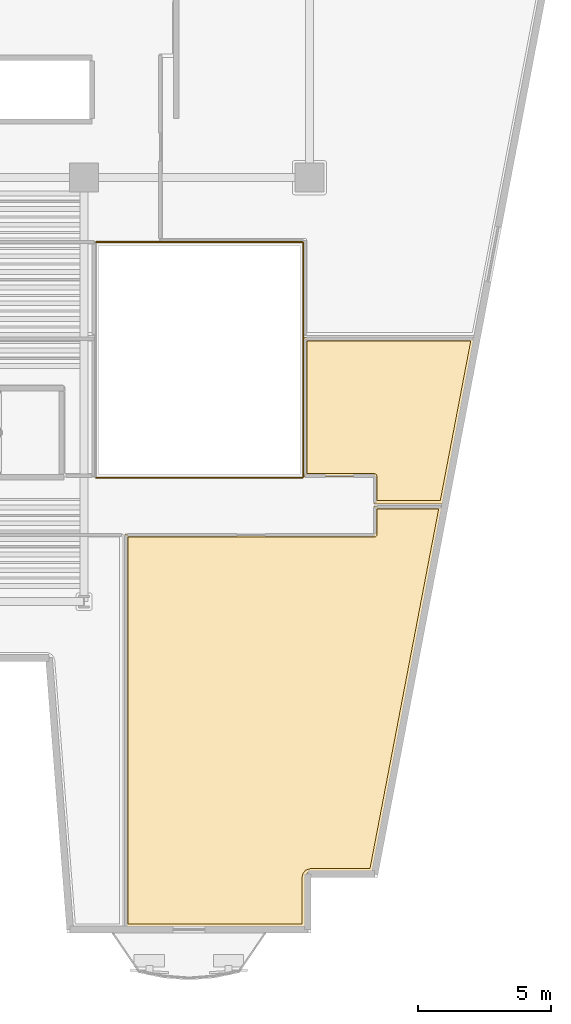
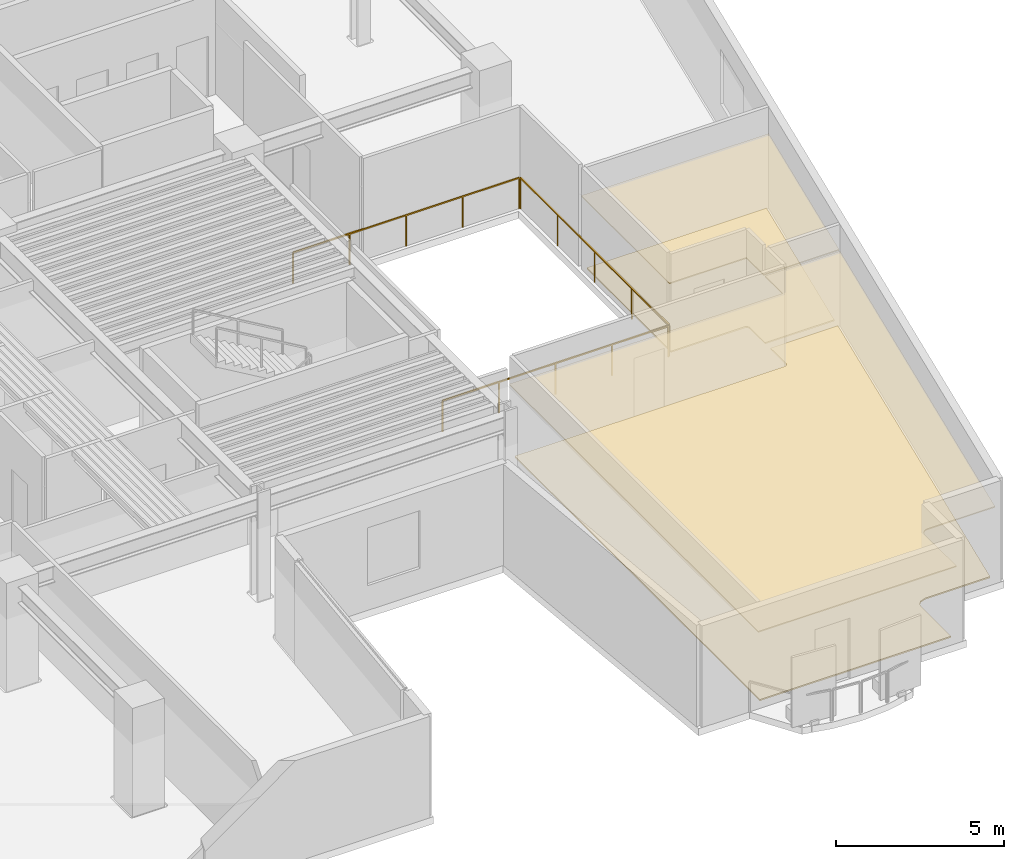
# One storey, part 11 of 13: 4 coverings, 3 railings.
"""IFC4 building model written with IfcOpenShell, lengths in metres."""

from ifc_helpers import new_model, si_unit, direction, frame, origin, origin_2d, place, context, subcontext, project, spatial, polyline, rectangle, outline, extrude, material, layer, layer_set, type_object, element, save


model = new_model("IFC4")

# Units and contexts
model_context = context("Model", 3, precision=1e-05, world=origin(), true_north=direction((0.0, 1.0)))
body_context = subcontext(model_context, "Body", "Model", "MODEL_VIEW")
ifc_project = project(units=[si_unit("LENGTHUNIT", "METRE"), si_unit("AREAUNIT", "SQUARE_METRE"), si_unit("VOLUMEUNIT", "CUBIC_METRE"), si_unit("PLANEANGLEUNIT", "RADIAN"), si_unit("MASSUNIT", "GRAM", prefix="KILO")], contexts=[model_context])

# Site, building, storey
site_placement = place(None, origin())
site = spatial("IfcSite", under=ifc_project, at=site_placement, CompositionType="ELEMENT")
building_placement = place(site_placement, origin())
building = spatial("IfcBuilding", under=site, at=building_placement, Name="Caeloran Harvest Quay", CompositionType="ELEMENT")
storey_placement = place(building_placement, frame((0.0, 0.0, 135.10009765625)))
storey = spatial("IfcBuildingStorey", under=building, at=storey_placement, Name="L31", CompositionType="ELEMENT", Elevation=135.10009765625)

# Coverings
ifc_material_1 = material(Name="Perforated Mineral-Fibre Acoustic Ceiling Tile", Category="ceiling")
ifc_layer_1 = layer(ifc_material_1, 0.0400390625, Name="Perforated Mineral-Fibre Acoustic Ceiling Tile")
ifc_layer_set_1 = layer_set([ifc_layer_1], Name="Perforated Mineral-Fibre Acoustic Ceiling Tile")
covering_type_1 = type_object("IfcCoveringType", Name="COV-CEILING-ACOUSTIC", PredefinedType="CEILING", material=ifc_layer_set_1)
covering_1_placement = place(storey_placement, frame((0.0, 0.0, 2.599853515625)))
element("IfcCovering", 1, at=covering_1_placement, inside=storey, type_object=covering_type_1, Name="Food Texture Sensory Laboratory Acoustic Ceiling", PredefinedType="CEILING", context=body_context, shape_type="SweptSolid", body=[
    extrude(outline(polyline([(44.93994140625, 17.56005859375), (44.93994140625, 18.610107421875), (47.522705078125, 18.610107421875), (44.888916015625, 4.820068359375), (42.571044921875, 4.820068359375), (42.506103515625, 4.810546875), (42.430419921875, 4.77001953125), (42.36669921875, 4.68408203125), (42.35009765625, 4.59912109375), (42.35009765625, 2.719970703125), (35.5400390625, 2.719970703125), (35.5400390625, 17.56005859375), (44.93994140625, 17.56005859375)])), origin(), (0.0, 0.0, 1.0), 0.0400390625),
])
covering_2_placement = place(storey_placement, frame((0.0, 0.0, 2.599853515625)))
element("IfcCovering", 2, at=covering_2_placement, inside=storey, type_object=covering_type_1, Name="Bioreactor Pilot Hall Acoustic Ceiling", PredefinedType="CEILING", context=body_context, shape_type="SweptSolid", body=[
    extrude(outline(polyline([(44.93994140625, 19.7099609375), (42.2900390625, 19.7099609375), (42.2900390625, 24.9599609375), (48.7353515625, 24.9599609375), (47.537841796875, 18.68994140625), (44.93994140625, 18.68994140625), (44.93994140625, 19.7099609375)])), origin(), (0.0, 0.0, 1.0), 0.0400390625),
])
ifc_material_2 = material(Name="Calcium-Sulphate Raised Access Floor and Terrazzo Finish", Category="flooring")
ifc_layer_2 = layer(ifc_material_2, 0.050048828125, Name="Calcium-Sulphate Raised Access Floor and Terrazzo Finish")
ifc_layer_set_2 = layer_set([ifc_layer_2], Name="Calcium-Sulphate Raised Access Floor and Terrazzo Finish")
covering_type_2 = type_object("IfcCoveringType", Name="COV-FLOOR-RAISED", PredefinedType="FLOORING", material=ifc_layer_set_2)
covering_3_placement = place(storey_placement, origin())
element("IfcCovering", 3, at=covering_3_placement, inside=storey, type_object=covering_type_2, Name="Food Texture Sensory Laboratory Raised Finish Flooring", PredefinedType="FLOORING", context=body_context, shape_type="SweptSolid", body=[
    extrude(outline(polyline([(44.97802734375, 17.443603515625), (45.037353515625, 17.4833984375), (45.059814453125, 17.543212890625), (45.06005859375, 18.489990234375), (47.37744140625, 18.489990234375), (44.789794921875, 4.93994140625), (42.566162109375, 4.93994140625), (42.357421875, 4.865234375), (42.268310546875, 4.7568359375), (42.231201171875, 4.62939453125), (42.22998046875, 2.840087890625), (35.659912109375, 2.840087890625), (35.659912109375, 17.43994140625), (44.97802734375, 17.443603515625)])), origin(), (0.0, 0.0, 1.0), 0.0498046875),
])
covering_4_placement = place(storey_placement, origin())
element("IfcCovering", 4, at=covering_4_placement, inside=storey, type_object=covering_type_2, Name="Bioreactor Pilot Hall Raised Finish Flooring", PredefinedType="FLOORING", context=body_context, shape_type="SweptSolid", body=[
    extrude(outline(polyline([(45.056396484375, 19.748046875), (45.0166015625, 19.807373046875), (44.953857421875, 19.829833984375), (42.409912109375, 19.830078125), (42.409912109375, 24.840087890625), (48.59033203125, 24.840087890625), (47.438720703125, 18.81005859375), (45.06005859375, 18.81005859375), (45.056396484375, 19.748046875)])), origin(), (0.0, 0.0, 1.0), 0.0498046875),
])

# Railings
ifc_material_3 = material(Name="Powder-Coated Steel Post and Laminated Glass Guardrail", Category="steel")
ifc_layer_3 = layer(ifc_material_3, 0.06005859375, Name="Powder-Coated Steel Post and Laminated Glass Guardrail")
ifc_layer_set_3 = layer_set([ifc_layer_3], Name="Powder-Coated Steel Post and Laminated Glass Guardrail")
railing_type = type_object("IfcRailingType", Name="GUARD-ATRIUM-1150", PredefinedType="GUARDRAIL", material=ifc_layer_set_3)
railing_1_placement = place(storey_placement, frame((34.4619140625, 19.679931640625, 0.0)))
element("IfcRailing", 5, at=railing_1_placement, inside=storey, type_object=railing_type, Name="L31 East Botanical Lightwell Guardrail Seg 1", PredefinedType="GUARDRAIL", context=body_context, shape_type="SweptSolid", body=[
    extrude(rectangle(XDim=0.048095703125, YDim=0.048095703125, at=origin_2d()), frame((0.0, 0.0, 1.1259765625), z_axis=(1.0, 0.0, 0.0), x_axis=(0.0, 1.0, 0.0)), (0.0, 0.0, 1.0), 7.776123046875),
    extrude(rectangle(XDim=0.0419921875, YDim=0.0419921875, at=origin_2d()), origin(), (0.0, 0.0, 1.0), 1.101806640625),
    extrude(rectangle(XDim=0.0419921875, YDim=0.0419921875, at=origin_2d()), frame((1.944091796875, 0.0, 0.0)), (0.0, 0.0, 1.0), 1.101806640625),
    extrude(rectangle(XDim=0.0419921875, YDim=0.0419921875, at=origin_2d()), frame((3.88818359375, 0.0, 0.0)), (0.0, 0.0, 1.0), 1.101806640625),
    extrude(rectangle(XDim=0.0419921875, YDim=0.0419921875, at=origin_2d()), frame((5.83203125, 0.0, 0.0)), (0.0, 0.0, 1.0), 1.101806640625),
    extrude(rectangle(XDim=0.0419921875, YDim=0.0419921875, at=origin_2d()), frame((7.776123046875, 0.0, 0.0)), (0.0, 0.0, 1.0), 1.101806640625),
])
railing_2_placement = place(storey_placement, frame((42.27001953125, 19.7119140625, 0.0)))
element("IfcRailing", 6, at=railing_2_placement, inside=storey, type_object=railing_type, Name="L31 East Botanical Lightwell Guardrail Seg 2", PredefinedType="GUARDRAIL", context=body_context, shape_type="SweptSolid", body=[
    extrude(rectangle(XDim=0.048095703125, YDim=0.048095703125, at=origin_2d()), frame((0.0, 0.0, 1.1259765625), z_axis=(0.0, 1.0, 0.0), x_axis=(-1.0, 0.0, 0.0)), (0.0, 0.0, 1.0), 8.826171875),
    extrude(rectangle(XDim=0.0419921875, YDim=0.0419921875, at=origin_2d()), origin(), (0.0, 0.0, 1.0), 1.101806640625),
    extrude(rectangle(XDim=0.0419921875, YDim=0.0419921875, at=origin_2d()), frame((0.0, 2.20654296875, 0.0)), (0.0, 0.0, 1.0), 1.101806640625),
    extrude(rectangle(XDim=0.0419921875, YDim=0.0419921875, at=origin_2d()), frame((0.0, 4.4130859375, 0.0)), (0.0, 0.0, 1.0), 1.101806640625),
    extrude(rectangle(XDim=0.0419921875, YDim=0.0419921875, at=origin_2d()), frame((0.0, 6.61962890625, 0.0)), (0.0, 0.0, 1.0), 1.101806640625),
    extrude(rectangle(XDim=0.0419921875, YDim=0.0419921875, at=origin_2d()), frame((0.0, 8.826171875, 0.0)), (0.0, 0.0, 1.0), 1.101806640625),
])
railing_3_placement = place(storey_placement, frame((42.238037109375, 28.570068359375, 0.0)))
element("IfcRailing", 7, at=railing_3_placement, inside=storey, type_object=railing_type, Name="L31 East Botanical Lightwell Guardrail Seg 3", PredefinedType="GUARDRAIL", context=body_context, shape_type="SweptSolid", body=[
    extrude(rectangle(XDim=0.048095703125, YDim=0.048095703125, at=origin_2d()), frame((0.0, 0.0, 1.1259765625), z_axis=(-1.0, 0.0, 0.0), x_axis=(0.0, -1.0, 0.0)), (0.0, 0.0, 1.0), 7.776123046875),
    extrude(rectangle(XDim=0.0419921875, YDim=0.0419921875, at=origin_2d()), origin(), (0.0, 0.0, 1.0), 1.101806640625),
    extrude(rectangle(XDim=0.0419921875, YDim=0.0419921875, at=origin_2d()), frame((-1.944091796875, 0.0, 0.0)), (0.0, 0.0, 1.0), 1.101806640625),
    extrude(rectangle(XDim=0.0419921875, YDim=0.0419921875, at=origin_2d()), frame((-3.88818359375, 0.0, 0.0)), (0.0, 0.0, 1.0), 1.101806640625),
    extrude(rectangle(XDim=0.0419921875, YDim=0.0419921875, at=origin_2d()), frame((-5.83203125, 0.0, 0.0)), (0.0, 0.0, 1.0), 1.101806640625),
    extrude(rectangle(XDim=0.0419921875, YDim=0.0419921875, at=origin_2d()), frame((-7.776123046875, 0.0, 0.0)), (0.0, 0.0, 1.0), 1.101806640625),
])

save(model, "model.ifc")
